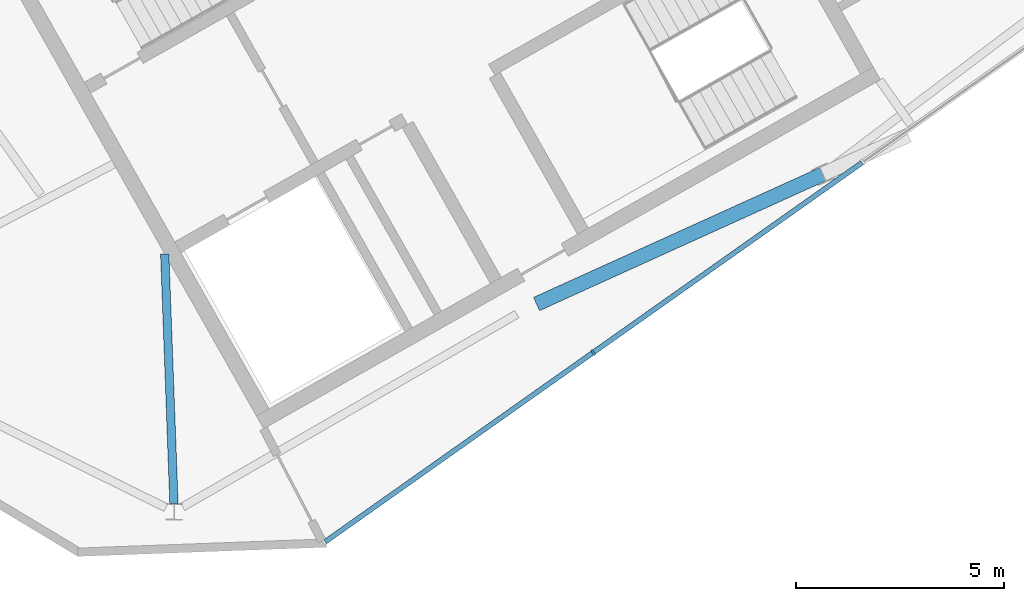
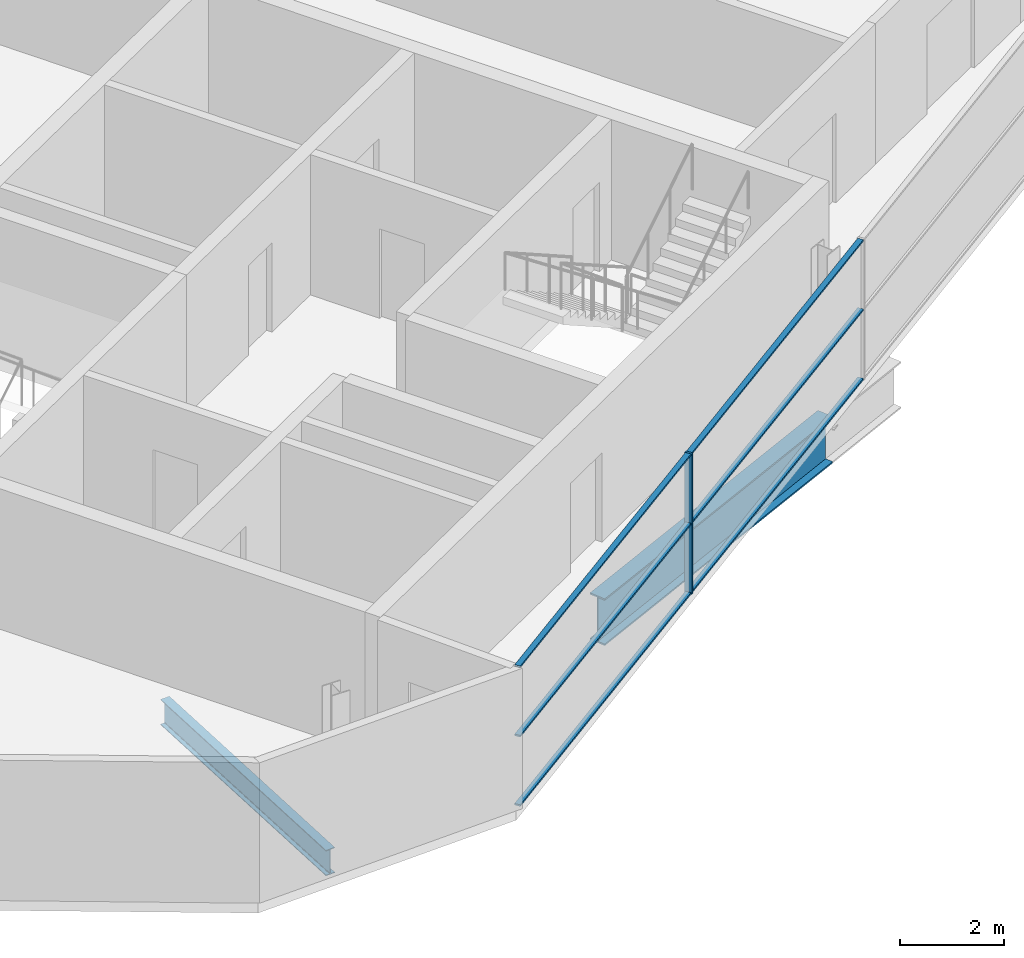
# One storey, part 4 of 11: 7 members, 2 beams, 1 element without a shape of its own.
"""IFC4 building model written with IfcOpenShell, lengths in metres."""

from ifc_helpers import new_model, si_unit, direction, frame, origin, origin_2d, place, context, subcontext, project, spatial, rectangle, i_section, extrude, material, material_profile, profile_set, type_object, element, aggregate, save


model = new_model("IFC4")

# Units and contexts
model_context = context("Model", 3, precision=1e-05, world=origin(), true_north=direction((0.0, 1.0)))
body_context = subcontext(model_context, "Body", "Model", "MODEL_VIEW")
ifc_project = project(units=[si_unit("LENGTHUNIT", "METRE"), si_unit("AREAUNIT", "SQUARE_METRE"), si_unit("VOLUMEUNIT", "CUBIC_METRE"), si_unit("PLANEANGLEUNIT", "RADIAN"), si_unit("MASSUNIT", "GRAM", prefix="KILO")], contexts=[model_context])

# Site, building, storey
site_placement = place(None, origin())
site = spatial("IfcSite", under=ifc_project, at=site_placement, CompositionType="ELEMENT")
building_placement = place(site_placement, origin())
building = spatial("IfcBuilding", under=site, at=building_placement, Name="Binnacle Exchange Tower", CompositionType="ELEMENT")
storey_placement = place(building_placement, frame((0.0, 0.0, 361.300048828125)))
storey = spatial("IfcBuildingStorey", under=building, at=storey_placement, Name="L83", CompositionType="ELEMENT", Elevation=361.300048828125)

# Curtain wall, members
ifc_material_1 = material(Name="Bronze anodised aluminium frame", Category="aluminium")
curtain_wall_type = type_object("IfcCurtainWallType", Name="External wall - curtain wall crown top", PredefinedType="NOTDEFINED", material=ifc_material_1)
curtain_wall_placement = place(storey_placement, origin())
curtain_wall = element("IfcCurtainWall", 1, at=curtain_wall_placement, inside=storey, type_object=curtain_wall_type, Name="External wall curtain wall CW6-C307 L83", PredefinedType="NOTDEFINED")
ifc_material_profile_1 = material_profile(ifc_material_1, rectangle(XDim=0.14990234375, YDim=0.050048828125, at=origin_2d()), Name="AL 50x150")
ifc_profile_set_1 = profile_set([ifc_material_profile_1], Name="Bronze anodised aluminium frame")
member_type_1 = type_object("IfcMemberType", Name="CW6 MULLION 50x150", PredefinedType="MULLION", material=ifc_profile_set_1)
member_1_placement = place(storey_placement, frame((-31.80908203125, 31.314208984375, 0.0), z_axis=(0.0, 0.0, 1.0), x_axis=(-0.576854127285, 0.816847180221, 0.0)))
member_1 = element("IfcMember", 2, at=member_1_placement, type_object=member_type_1, Name="CW6-C307 mullion 2", PredefinedType="MULLION", context=body_context, shape_type="SweptSolid", body=[
    extrude(rectangle(XDim=0.14990234375, YDim=0.050048828125, at=origin_2d()), origin(), (0.0, 0.0, 1.0), 3.300048828125),
])
ifc_material_profile_2 = material_profile(ifc_material_1, rectangle(XDim=0.1201171875, YDim=0.0400390625, at=origin_2d()), Name="AL 120x40")
ifc_profile_set_2 = profile_set([ifc_material_profile_2], Name="Bronze anodised aluminium frame")
member_type_2 = type_object("IfcMemberType", Name="CW6 TRANSOM 40x120", PredefinedType="USERDEFINED", material=ifc_profile_set_2)
member_2_placement = place(storey_placement, frame((-38.2373046875, 26.774658203125, 0.02001953125), z_axis=(0.816844504093, 0.576857916763, 0.0), x_axis=(-0.576857916763, 0.816844504093, 0.0)))
member_2 = element("IfcMember", 3, at=member_2_placement, type_object=member_type_2, Name="CW6-C307 transom 1.1", ObjectType="TRANSOM", PredefinedType="USERDEFINED", context=body_context, shape_type="SweptSolid", body=[
    extrude(rectangle(XDim=0.1201171875, YDim=0.0400390625, at=origin_2d()), origin(), (0.0, 0.0, 1.0), 7.844482421875),
])
member_3_placement = place(storey_placement, frame((-38.2373046875, 26.774658203125, 1.64990234375), z_axis=(0.816844504093, 0.576857916763, 0.0), x_axis=(-0.576857916763, 0.816844504093, 0.0)))
member_3 = element("IfcMember", 4, at=member_3_placement, type_object=member_type_2, Name="CW6-C307 transom 1.2", ObjectType="TRANSOM", PredefinedType="USERDEFINED", context=body_context, shape_type="SweptSolid", body=[
    extrude(rectangle(XDim=0.1201171875, YDim=0.0400390625, at=origin_2d()), origin(), (0.0, 0.0, 1.0), 7.844482421875),
])
member_4_placement = place(storey_placement, frame((-38.2373046875, 26.774658203125, 3.280029296875), z_axis=(0.816844504093, 0.576857916763, 0.0), x_axis=(-0.576857916763, 0.816844504093, 0.0)))
member_4 = element("IfcMember", 5, at=member_4_placement, type_object=member_type_2, Name="CW6-C307 transom 1.3", ObjectType="TRANSOM", PredefinedType="USERDEFINED", context=body_context, shape_type="SweptSolid", body=[
    extrude(rectangle(XDim=0.1201171875, YDim=0.0400390625, at=origin_2d()), origin(), (0.0, 0.0, 1.0), 7.844482421875),
])
member_5_placement = place(storey_placement, frame((-31.78857421875, 31.32861328125, 0.02001953125), z_axis=(0.816838873446, 0.576865889812, 0.0), x_axis=(-0.576865889812, 0.816838873446, 0.0)))
member_5 = element("IfcMember", 6, at=member_5_placement, type_object=member_type_2, Name="CW6-C307 transom 2.1", ObjectType="TRANSOM", PredefinedType="USERDEFINED", context=body_context, shape_type="SweptSolid", body=[
    extrude(rectangle(XDim=0.1201171875, YDim=0.0400390625, at=origin_2d()), origin(), (0.0, 0.0, 1.0), 7.869384765625),
])
member_6_placement = place(storey_placement, frame((-31.78857421875, 31.32861328125, 1.64990234375), z_axis=(0.816838873446, 0.576865889812, 0.0), x_axis=(-0.576865889812, 0.816838873446, 0.0)))
member_6 = element("IfcMember", 7, at=member_6_placement, type_object=member_type_2, Name="CW6-C307 transom 2.2", ObjectType="TRANSOM", PredefinedType="USERDEFINED", context=body_context, shape_type="SweptSolid", body=[
    extrude(rectangle(XDim=0.1201171875, YDim=0.0400390625, at=origin_2d()), origin(), (0.0, 0.0, 1.0), 7.869384765625),
])
member_7_placement = place(storey_placement, frame((-31.78857421875, 31.32861328125, 3.280029296875), z_axis=(0.816838873446, 0.576865889812, 0.0), x_axis=(-0.576865889812, 0.816838873446, 0.0)))
member_7 = element("IfcMember", 8, at=member_7_placement, type_object=member_type_2, Name="CW6-C307 transom 2.3", ObjectType="TRANSOM", PredefinedType="USERDEFINED", context=body_context, shape_type="SweptSolid", body=[
    extrude(rectangle(XDim=0.1201171875, YDim=0.0400390625, at=origin_2d()), origin(), (0.0, 0.0, 1.0), 7.869384765625),
])
aggregate(curtain_wall, [member_1, member_2, member_3, member_4, member_5, member_6, member_7])

# Beams
ifc_material_2 = material(Name="Steel S355 (SHN355)", Category="steel")
ifc_material_profile_3 = material_profile(ifc_material_2, i_section(OverallWidth=0.199951171875, OverallDepth=0.60009765625, WebThickness=0.010986328125, FlangeThickness=0.01708984375, FilletRadius=0.02197265625, at=origin_2d()), Name="H 600x200x11x17")
ifc_profile_set_3 = profile_set([ifc_material_profile_3], Name="Steel S355 (SHN355)")
beam_type_1 = type_object("IfcBeamType", Name="Floor beam H 600x200x11x17 Steel S355 (SHN355)", PredefinedType="BEAM", material=ifc_profile_set_3)
beam_1_placement = place(storey_placement, frame((-41.864990234375, 27.69482421875, -0.60009765625), z_axis=(-0.036936266592, 0.999317623286, 0.0), x_axis=(-0.999317623286, -0.036936266592, 0.0)))
element("IfcBeam", 9, at=beam_1_placement, inside=storey, type_object=beam_type_1, Name="S:BM:cross:L83:022", PredefinedType="BEAM", context=body_context, shape_type="SweptSolid", body=[
    extrude(i_section(OverallWidth=0.199951171875, OverallDepth=0.60009765625, WebThickness=0.010986328125, FlangeThickness=0.01708984375, FilletRadius=0.02197265625, at=origin_2d()), origin(), (0.0, 0.0, 1.0), 5.988525390625),
])
ifc_material_3 = material(Name="Steel S355 (SM355)", Category="steel")
ifc_material_profile_4 = material_profile(ifc_material_3, i_section(OverallWidth=0.35009765625, OverallDepth=1.10009765625, WebThickness=0.02001953125, FlangeThickness=0.035888671875, at=origin_2d()), Name="BH 1100x350x20x36")
ifc_profile_set_4 = profile_set([ifc_material_profile_4], Name="Steel S355 (SM355)")
beam_type_2 = type_object("IfcBeamType", Name="Transfer girder BH 1100x350x20x36 Steel S355 (SM355)", PredefinedType="BEAM", material=ifc_profile_set_4)
beam_2_placement = place(storey_placement, frame((-33.16796875, 32.478759765625, -0.85009765625), z_axis=(0.910711223143, 0.413043663602, 0.0), x_axis=(-0.413043663602, 0.910711223143, 0.0)))
element("IfcBeam", 10, at=beam_2_placement, inside=storey, type_object=beam_type_2, Name="S:BM:transfer:L83:003", PredefinedType="BEAM", context=body_context, shape_type="SweptSolid", body=[
    extrude(i_section(OverallWidth=0.35009765625, OverallDepth=1.10009765625, WebThickness=0.02001953125, FlangeThickness=0.035888671875, at=origin_2d()), origin(), (0.0, 0.0, 1.0), 7.53564453125),
])

save(model, "model.ifc")
